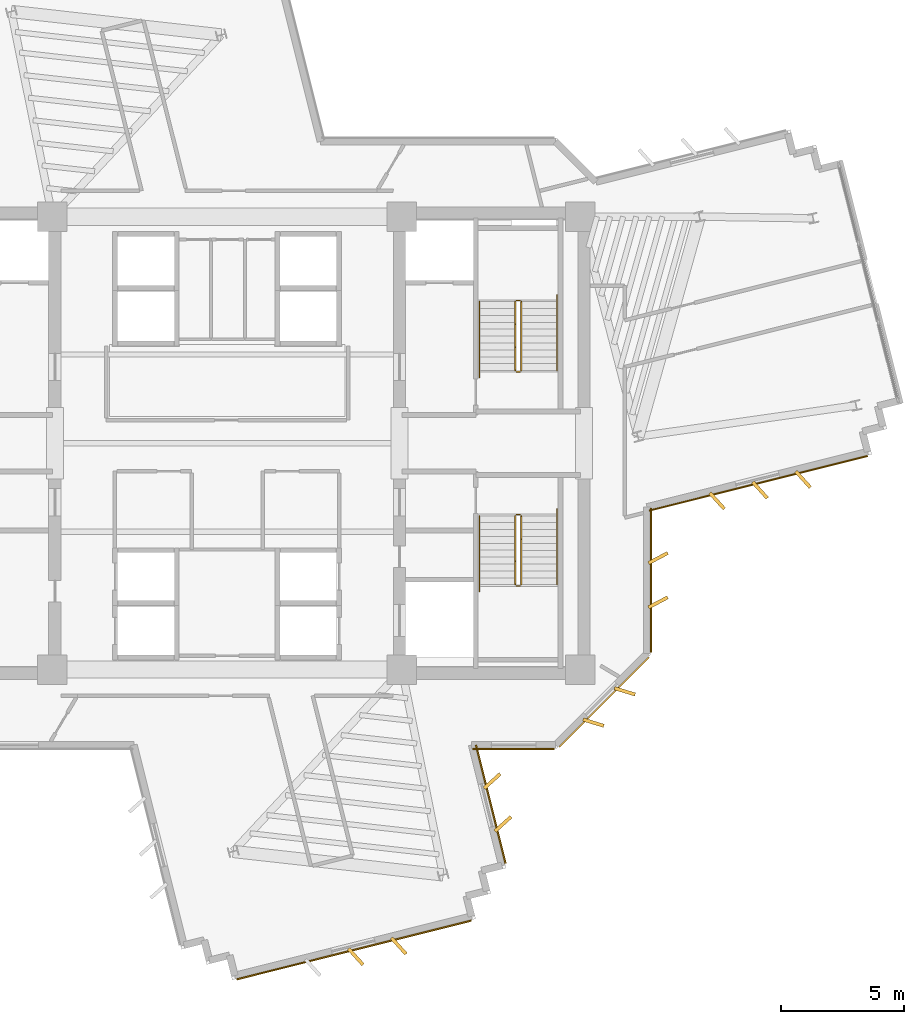
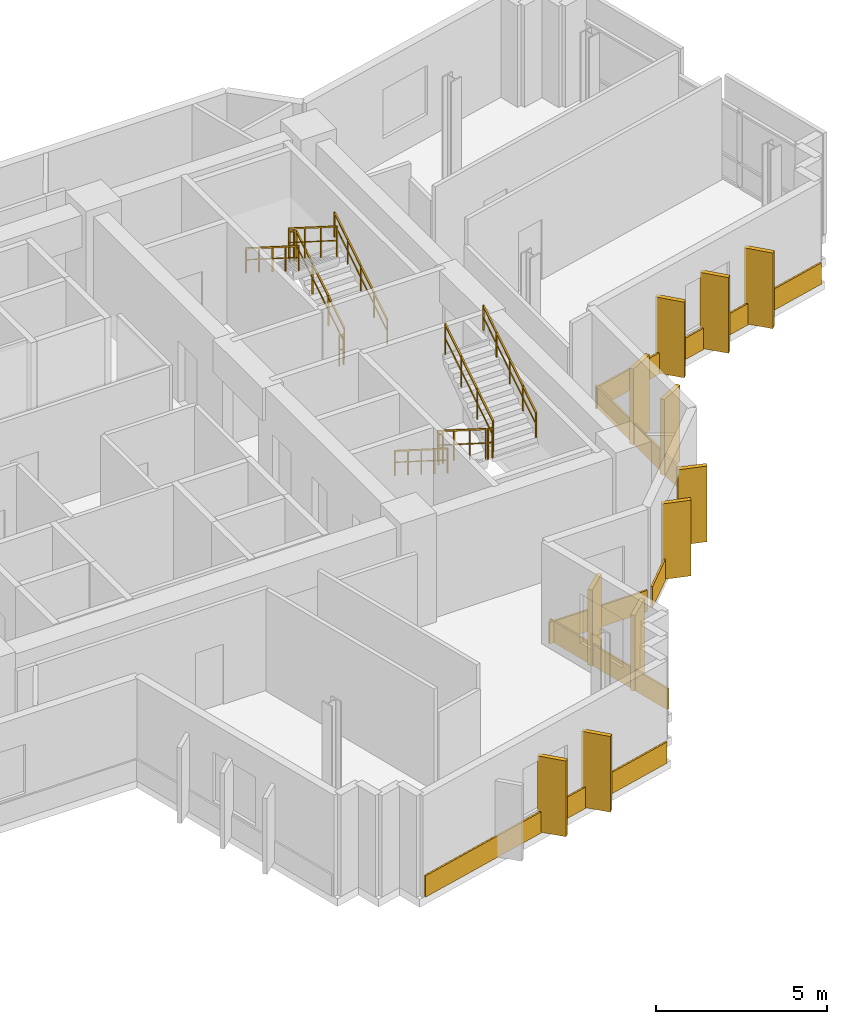
# One storey, part 12 of 13: 17 coverings, 12 railings.
"""IFC4 building model written with IfcOpenShell, lengths in metres."""

from ifc_helpers import new_model, si_unit, direction, frame, origin, origin_2d, place, context, subcontext, project, spatial, rectangle, extrude, source, transform, mapped, material, layer, layer_set, type_object, element, save


model = new_model("IFC4")

# Units and contexts
model_context = context("Model", 3, precision=1e-05, world=origin(), true_north=direction((0.0, 1.0)))
body_context = subcontext(model_context, "Body", "Model", "MODEL_VIEW")
ifc_project = project(units=[si_unit("LENGTHUNIT", "METRE"), si_unit("AREAUNIT", "SQUARE_METRE"), si_unit("VOLUMEUNIT", "CUBIC_METRE"), si_unit("PLANEANGLEUNIT", "RADIAN"), si_unit("MASSUNIT", "GRAM", prefix="KILO")], contexts=[model_context])

# Site, building, storey
site_placement = place(None, origin())
site = spatial("IfcSite", under=ifc_project, at=site_placement, CompositionType="ELEMENT")
building_placement = place(site_placement, origin())
building = spatial("IfcBuilding", under=site, at=building_placement, Name="Zahravan Cultural Tower", CompositionType="ELEMENT")
storey_placement = place(building_placement, frame((0.0, 0.0, 186.300048828125)))
storey = spatial("IfcBuildingStorey", under=building, at=storey_placement, Name="L43", CompositionType="ELEMENT", Elevation=186.300048828125)

# Railings
ifc_material_1 = material(Name="Steel ASTM A572 Grade 50", Category="steel")
railing_type_1 = type_object("IfcRailingType", Name="RL-STAIR-GRD1150", PredefinedType="BALUSTRADE", material=ifc_material_1)
railing_1_placement = place(storey_placement, frame((47.949951171875, 29.949951171875, 0.17724609375)))
element("IfcRailing", 1, at=railing_1_placement, inside=storey, type_object=railing_type_1, Name="L43 ST-E1 stair guard 1", PredefinedType="BALUSTRADE", context=body_context, shape_type="SweptSolid", body=[
    extrude(rectangle(XDim=0.05, YDim=0.05, at=origin_2d()), frame((0.0, 0.0, 1.0751953125), z_axis=(0.0, 0.844908973607, 0.534910110503), x_axis=(-1.0, 0.0, 0.0)), (0.0, 0.0, 1.0), 3.31396484375),
    extrude(rectangle(XDim=0.032, YDim=0.032, at=origin_2d()), frame((0.0, 0.0, 0.572021484375), z_axis=(0.0, 0.844908973607, 0.534910110503), x_axis=(-1.0, 0.0, 0.0)), (0.0, 0.0, 1.0), 3.31396484375),
    extrude(rectangle(XDim=0.04, YDim=0.04, at=origin_2d()), origin(), (0.0, 0.0, 1.0), 1.10009765625),
    extrude(rectangle(XDim=0.04, YDim=0.04, at=origin_2d()), frame((0.0, 0.933349609375, 0.5908203125)), (0.0, 0.0, 1.0), 1.10009765625),
    extrude(rectangle(XDim=0.04, YDim=0.04, at=origin_2d()), frame((0.0, 1.86669921875, 1.181884765625)), (0.0, 0.0, 1.0), 1.10009765625),
    extrude(rectangle(XDim=0.04, YDim=0.04, at=origin_2d()), frame((0.0, 2.800048828125, 1.772705078125)), (0.0, 0.0, 1.0), 1.10009765625),
])
railing_2_placement = place(storey_placement, frame((47.89990234375, 32.800048828125, 1.949951171875)))
element("IfcRailing", 2, at=railing_2_placement, inside=storey, type_object=railing_type_1, Name="L43 ST-E1 stair guard 2", PredefinedType="BALUSTRADE", context=body_context, shape_type="SweptSolid", body=[
    extrude(rectangle(XDim=0.05, YDim=0.05, at=origin_2d()), frame((0.0, 0.0, 1.0751953125), z_axis=(-1.0, 0.0, 0.0), x_axis=(0.0, -1.0, 0.0)), (0.0, 0.0, 1.0), 0.14990234375),
    extrude(rectangle(XDim=0.032, YDim=0.032, at=origin_2d()), frame((0.0, 0.0, 0.572021484375), z_axis=(-1.0, 0.0, 0.0), x_axis=(0.0, -1.0, 0.0)), (0.0, 0.0, 1.0), 0.14990234375),
    extrude(rectangle(XDim=0.04, YDim=0.04, at=origin_2d()), origin(), (0.0, 0.0, 1.0), 1.10009765625),
    extrude(rectangle(XDim=0.04, YDim=0.04, at=origin_2d()), frame((-0.14990234375, 0.0, 0.0)), (0.0, 0.0, 1.0), 1.10009765625),
])
railing_3_placement = place(storey_placement, frame((47.699951171875, 32.75, 2.127197265625)))
element("IfcRailing", 3, at=railing_3_placement, inside=storey, type_object=railing_type_1, Name="L43 ST-E1 stair guard 3", PredefinedType="BALUSTRADE", context=body_context, shape_type="SweptSolid", body=[
    extrude(rectangle(XDim=0.05, YDim=0.05, at=origin_2d()), frame((0.0, 0.0, 1.0751953125), z_axis=(0.0, -0.844908973607, 0.534910110503), x_axis=(1.0, 0.0, 0.0)), (0.0, 0.0, 1.0), 3.31396484375),
    extrude(rectangle(XDim=0.032, YDim=0.032, at=origin_2d()), frame((0.0, 0.0, 0.572021484375), z_axis=(0.0, -0.844908973607, 0.534910110503), x_axis=(1.0, 0.0, 0.0)), (0.0, 0.0, 1.0), 3.31396484375),
    extrude(rectangle(XDim=0.04, YDim=0.04, at=origin_2d()), origin(), (0.0, 0.0, 1.0), 1.10009765625),
    extrude(rectangle(XDim=0.04, YDim=0.04, at=origin_2d()), frame((0.0, -0.933349609375, 0.5908203125)), (0.0, 0.0, 1.0), 1.10009765625),
    extrude(rectangle(XDim=0.04, YDim=0.04, at=origin_2d()), frame((0.0, -1.86669921875, 1.181884765625)), (0.0, 0.0, 1.0), 1.10009765625),
    extrude(rectangle(XDim=0.04, YDim=0.04, at=origin_2d()), frame((0.0, -2.800048828125, 1.772705078125)), (0.0, 0.0, 1.0), 1.10009765625),
])
railing_4_placement = place(storey_placement, frame((47.89990234375, 29.89990234375, 0.0)))
element("IfcRailing", 4, at=railing_4_placement, inside=storey, type_object=railing_type_1, Name="L43 ST-E1 stair guard 4", PredefinedType="BALUSTRADE", context=body_context, shape_type="SweptSolid", body=[
    extrude(rectangle(XDim=0.05, YDim=0.05, at=origin_2d()), frame((0.0, 0.0, 1.0751953125), z_axis=(-1.0, 0.0, 0.0), x_axis=(0.0, -1.0, 0.0)), (0.0, 0.0, 1.0), 0.14990234375),
    extrude(rectangle(XDim=0.032, YDim=0.032, at=origin_2d()), frame((0.0, 0.0, 0.572021484375), z_axis=(-1.0, 0.0, 0.0), x_axis=(0.0, -1.0, 0.0)), (0.0, 0.0, 1.0), 0.14990234375),
    extrude(rectangle(XDim=0.04, YDim=0.04, at=origin_2d()), origin(), (0.0, 0.0, 1.0), 1.10009765625),
    extrude(rectangle(XDim=0.04, YDim=0.04, at=origin_2d()), frame((-0.14990234375, 0.0, 0.0)), (0.0, 0.0, 1.0), 1.10009765625),
])
railing_5_placement = place(storey_placement, frame((47.699951171875, 24.050048828125, 0.17724609375)))
element("IfcRailing", 5, at=railing_5_placement, inside=storey, type_object=railing_type_1, Name="L43 ST-E2 stair guard 1", PredefinedType="BALUSTRADE", context=body_context, shape_type="SweptSolid", body=[
    extrude(rectangle(XDim=0.05, YDim=0.05, at=origin_2d()), frame((0.0, 0.0, 1.0751953125), z_axis=(0.0, -0.844908973607, 0.534910110503), x_axis=(1.0, 0.0, 0.0)), (0.0, 0.0, 1.0), 3.31396484375),
    extrude(rectangle(XDim=0.032, YDim=0.032, at=origin_2d()), frame((0.0, 0.0, 0.572021484375), z_axis=(0.0, -0.844908973607, 0.534910110503), x_axis=(1.0, 0.0, 0.0)), (0.0, 0.0, 1.0), 3.31396484375),
    extrude(rectangle(XDim=0.04, YDim=0.04, at=origin_2d()), origin(), (0.0, 0.0, 1.0), 1.10009765625),
    extrude(rectangle(XDim=0.04, YDim=0.04, at=origin_2d()), frame((0.0, -0.933349609375, 0.5908203125)), (0.0, 0.0, 1.0), 1.10009765625),
    extrude(rectangle(XDim=0.04, YDim=0.04, at=origin_2d()), frame((0.0, -1.86669921875, 1.181884765625)), (0.0, 0.0, 1.0), 1.10009765625),
    extrude(rectangle(XDim=0.04, YDim=0.04, at=origin_2d()), frame((0.0, -2.800048828125, 1.772705078125)), (0.0, 0.0, 1.0), 1.10009765625),
])
railing_6_placement = place(storey_placement, frame((47.75, 21.199951171875, 1.949951171875)))
element("IfcRailing", 6, at=railing_6_placement, inside=storey, type_object=railing_type_1, Name="L43 ST-E2 stair guard 2", PredefinedType="BALUSTRADE", context=body_context, shape_type="SweptSolid", body=[
    extrude(rectangle(XDim=0.05, YDim=0.05, at=origin_2d()), frame((0.0, 0.0, 1.0751953125), z_axis=(1.0, 0.0, 0.0), x_axis=(0.0, 1.0, 0.0)), (0.0, 0.0, 1.0), 0.14990234375),
    extrude(rectangle(XDim=0.032, YDim=0.032, at=origin_2d()), frame((0.0, 0.0, 0.572021484375), z_axis=(1.0, 0.0, 0.0), x_axis=(0.0, 1.0, 0.0)), (0.0, 0.0, 1.0), 0.14990234375),
    extrude(rectangle(XDim=0.04, YDim=0.04, at=origin_2d()), origin(), (0.0, 0.0, 1.0), 1.10009765625),
    extrude(rectangle(XDim=0.04, YDim=0.04, at=origin_2d()), frame((0.14990234375, 0.0, 0.0)), (0.0, 0.0, 1.0), 1.10009765625),
])
railing_7_placement = place(storey_placement, frame((47.949951171875, 21.25, 2.127197265625)))
element("IfcRailing", 7, at=railing_7_placement, inside=storey, type_object=railing_type_1, Name="L43 ST-E2 stair guard 3", PredefinedType="BALUSTRADE", context=body_context, shape_type="SweptSolid", body=[
    extrude(rectangle(XDim=0.05, YDim=0.05, at=origin_2d()), frame((0.0, 0.0, 1.0751953125), z_axis=(0.0, 0.844908973607, 0.534910110503), x_axis=(-1.0, 0.0, 0.0)), (0.0, 0.0, 1.0), 3.31396484375),
    extrude(rectangle(XDim=0.032, YDim=0.032, at=origin_2d()), frame((0.0, 0.0, 0.572021484375), z_axis=(0.0, 0.844908973607, 0.534910110503), x_axis=(-1.0, 0.0, 0.0)), (0.0, 0.0, 1.0), 3.31396484375),
    extrude(rectangle(XDim=0.04, YDim=0.04, at=origin_2d()), origin(), (0.0, 0.0, 1.0), 1.10009765625),
    extrude(rectangle(XDim=0.04, YDim=0.04, at=origin_2d()), frame((0.0, 0.933349609375, 0.5908203125)), (0.0, 0.0, 1.0), 1.10009765625),
    extrude(rectangle(XDim=0.04, YDim=0.04, at=origin_2d()), frame((0.0, 1.86669921875, 1.181884765625)), (0.0, 0.0, 1.0), 1.10009765625),
    extrude(rectangle(XDim=0.04, YDim=0.04, at=origin_2d()), frame((0.0, 2.800048828125, 1.772705078125)), (0.0, 0.0, 1.0), 1.10009765625),
])
railing_8_placement = place(storey_placement, frame((47.75, 24.10009765625, 0.0)))
element("IfcRailing", 8, at=railing_8_placement, inside=storey, type_object=railing_type_1, Name="L43 ST-E2 stair guard 4", PredefinedType="BALUSTRADE", context=body_context, shape_type="SweptSolid", body=[
    extrude(rectangle(XDim=0.05, YDim=0.05, at=origin_2d()), frame((0.0, 0.0, 1.0751953125), z_axis=(1.0, 0.0, 0.0), x_axis=(0.0, 1.0, 0.0)), (0.0, 0.0, 1.0), 0.14990234375),
    extrude(rectangle(XDim=0.032, YDim=0.032, at=origin_2d()), frame((0.0, 0.0, 0.572021484375), z_axis=(1.0, 0.0, 0.0), x_axis=(0.0, 1.0, 0.0)), (0.0, 0.0, 1.0), 0.14990234375),
    extrude(rectangle(XDim=0.04, YDim=0.04, at=origin_2d()), origin(), (0.0, 0.0, 1.0), 1.10009765625),
    extrude(rectangle(XDim=0.04, YDim=0.04, at=origin_2d()), frame((0.14990234375, 0.0, 0.0)), (0.0, 0.0, 1.0), 1.10009765625),
])
railing_type_2 = type_object("IfcRailingType", Name="RL-STAIR-HR900", PredefinedType="HANDRAIL", material=ifc_material_1)
railing_9_placement = place(storey_placement, frame((49.39990234375, 29.949951171875, 0.17724609375)))
element("IfcRailing", 9, at=railing_9_placement, inside=storey, type_object=railing_type_2, Name="L43 ST-E1 stair handrail 1", PredefinedType="HANDRAIL", context=body_context, shape_type="SweptSolid", body=[
    extrude(rectangle(XDim=0.05, YDim=0.05, at=origin_2d()), frame((0.0, 0.0, 0.875), z_axis=(0.0, 0.844913916606, 0.534902302785), x_axis=(-1.0, 0.0, 0.0)), (0.0, 0.0, 1.0), 3.6455078125),
    extrude(rectangle(XDim=0.032, YDim=0.032, at=origin_2d()), frame((0.0, 0.0, 0.468017578125), z_axis=(0.0, 0.844913916606, 0.534902302785), x_axis=(-1.0, 0.0, 0.0)), (0.0, 0.0, 1.0), 3.6455078125),
    extrude(rectangle(XDim=0.04, YDim=0.04, at=origin_2d()), origin(), (0.0, 0.0, 1.0), 0.89990234375),
    extrude(rectangle(XDim=0.04, YDim=0.04, at=origin_2d()), frame((0.0, 0.77001953125, 0.487548828125)), (0.0, 0.0, 1.0), 0.89990234375),
    extrude(rectangle(XDim=0.04, YDim=0.04, at=origin_2d()), frame((0.0, 1.5400390625, 0.97509765625)), (0.0, 0.0, 1.0), 0.89990234375),
    extrude(rectangle(XDim=0.04, YDim=0.04, at=origin_2d()), frame((0.0, 2.31005859375, 1.46240234375)), (0.0, 0.0, 1.0), 0.89990234375),
    extrude(rectangle(XDim=0.04, YDim=0.04, at=origin_2d()), frame((0.0, 3.080078125, 1.949951171875)), (0.0, 0.0, 1.0), 0.89990234375),
])
for number, where, name in (
    (10, (46.25, 32.75, 2.127197265625), "L43 ST-E1 stair handrail 2"),
    (11, (46.25, 24.050048828125, 0.17724609375), "L43 ST-E2 stair handrail 1"),
):
    element("IfcRailing", number, at=place(storey_placement, frame(where)), inside=storey, type_object=railing_type_2, Name=name, PredefinedType="HANDRAIL", context=body_context, shape_type="SweptSolid", body=[
        extrude(rectangle(XDim=0.05, YDim=0.05, at=origin_2d()), frame((0.0, 0.0, 0.875), z_axis=(0.0, -0.844913916606, 0.534902302785), x_axis=(1.0, 0.0, 0.0)), (0.0, 0.0, 1.0), 3.6455078125),
        extrude(rectangle(XDim=0.032, YDim=0.032, at=origin_2d()), frame((0.0, 0.0, 0.468017578125), z_axis=(0.0, -0.844913916606, 0.534902302785), x_axis=(1.0, 0.0, 0.0)), (0.0, 0.0, 1.0), 3.6455078125),
        extrude(rectangle(XDim=0.04, YDim=0.04, at=origin_2d()), origin(), (0.0, 0.0, 1.0), 0.89990234375),
        extrude(rectangle(XDim=0.04, YDim=0.04, at=origin_2d()), frame((0.0, -0.77001953125, 0.487548828125)), (0.0, 0.0, 1.0), 0.89990234375),
        extrude(rectangle(XDim=0.04, YDim=0.04, at=origin_2d()), frame((0.0, -1.5400390625, 0.97509765625)), (0.0, 0.0, 1.0), 0.89990234375),
        extrude(rectangle(XDim=0.04, YDim=0.04, at=origin_2d()), frame((0.0, -2.31005859375, 1.46240234375)), (0.0, 0.0, 1.0), 0.89990234375),
        extrude(rectangle(XDim=0.04, YDim=0.04, at=origin_2d()), frame((0.0, -3.080078125, 1.949951171875)), (0.0, 0.0, 1.0), 0.89990234375),
    ])
railing_10_placement = place(storey_placement, frame((49.39990234375, 21.25, 2.127197265625)))
element("IfcRailing", 12, at=railing_10_placement, inside=storey, type_object=railing_type_2, Name="L43 ST-E2 stair handrail 2", PredefinedType="HANDRAIL", context=body_context, shape_type="SweptSolid", body=[
    extrude(rectangle(XDim=0.05, YDim=0.05, at=origin_2d()), frame((0.0, 0.0, 0.875), z_axis=(0.0, 0.844913916606, 0.534902302785), x_axis=(-1.0, 0.0, 0.0)), (0.0, 0.0, 1.0), 3.6455078125),
    extrude(rectangle(XDim=0.032, YDim=0.032, at=origin_2d()), frame((0.0, 0.0, 0.468017578125), z_axis=(0.0, 0.844913916606, 0.534902302785), x_axis=(-1.0, 0.0, 0.0)), (0.0, 0.0, 1.0), 3.6455078125),
    extrude(rectangle(XDim=0.04, YDim=0.04, at=origin_2d()), origin(), (0.0, 0.0, 1.0), 0.89990234375),
    extrude(rectangle(XDim=0.04, YDim=0.04, at=origin_2d()), frame((0.0, 0.77001953125, 0.487548828125)), (0.0, 0.0, 1.0), 0.89990234375),
    extrude(rectangle(XDim=0.04, YDim=0.04, at=origin_2d()), frame((0.0, 1.5400390625, 0.97509765625)), (0.0, 0.0, 1.0), 0.89990234375),
    extrude(rectangle(XDim=0.04, YDim=0.04, at=origin_2d()), frame((0.0, 2.31005859375, 1.46240234375)), (0.0, 0.0, 1.0), 0.89990234375),
    extrude(rectangle(XDim=0.04, YDim=0.04, at=origin_2d()), frame((0.0, 3.080078125, 1.949951171875)), (0.0, 0.0, 1.0), 0.89990234375),
])

# Coverings
ifc_material_2 = material(Name="Terracotta ceramic cladding", Category="masonry")
ifc_layer = layer(ifc_material_2, 0.06005859375)
ifc_layer_set = layer_set([ifc_layer], Name="Terracotta ceramic cladding")
covering_type = type_object("IfcCoveringType", Name="COV-CLAD-TC60", PredefinedType="CLADDING", material=ifc_layer_set)
shared_shape_1 = source(origin(), body_context, "Body", "SweptSolid", [
    extrude(rectangle(XDim=9.820068359375, YDim=0.06005859375, at=origin_2d()), origin(), (0.0, 0.0, 1.0), 0.760009765625),
])
covering_1_placement = place(storey_placement, frame((41.156494140625, 6.410888671875, 0.02001953125), z_axis=(0.0, 0.0, 1.0), x_axis=(-0.970041854282, -0.242937854074, 0.0)))
element("IfcCovering", 13, at=covering_1_placement, inside=storey, type_object=covering_type, Name="L43 Terracotta Spandrel Cladding 19", PredefinedType="CLADDING", context=body_context, shape_type="MappedRepresentation", body=[
    mapped(shared_shape_1, transform((0.0, 0.0, 0.0), x_axis=(1.0, 0.0, 0.0), y_axis=(0.0, 1.0, 0.0), z_axis=(0.0, 0.0, 1.0), scale=1.0)),
])
shared_shape_2 = source(origin(), body_context, "Body", "SweptSolid", [
    extrude(rectangle(XDim=5.157958984375, YDim=0.06005859375, at=origin_2d()), origin(), (0.0, 0.0, 1.0), 0.760009765625),
])
covering_2_placement = place(storey_placement, frame((51.317626953125, 16.482421875, 0.02001953125), z_axis=(0.0, 0.0, 1.0), x_axis=(-0.707106781187, -0.707106781187, 0.0)))
element("IfcCovering", 14, at=covering_2_placement, inside=storey, type_object=covering_type, Name="L43 Terracotta Spandrel Cladding 12", PredefinedType="CLADDING", context=body_context, shape_type="MappedRepresentation", body=[
    mapped(shared_shape_2, transform((0.0, 0.0, 0.0), x_axis=(1.0, 0.0, 0.0), y_axis=(0.0, 1.0, 0.0), z_axis=(0.0, 0.0, 1.0), scale=1.0)),
])
shared_shape_3 = source(origin(), body_context, "Body", "SweptSolid", [
    extrude(rectangle(XDim=0.8798828125, YDim=0.139892578125, at=origin_2d()), origin(), (0.0, 0.0, 1.0), 2.699951171875),
])
for number, where, z_axis, x_axis, name in (
    (15, (59.3974609375, 25.530029296875, 0.0498046875), (0.0, 0.0, 1.0), (0.669895500577, -0.742455398194, 0.0), "L43 Herringbone Terracotta Fin 04"),
    (16, (57.6513671875, 25.0927734375, 0.0498046875), (0.0, 0.0, 1.0), (0.669895500577, -0.742455398194, 0.0), "L43 Herringbone Terracotta Fin 05"),
    (17, (55.9052734375, 24.655517578125, 0.0498046875), (0.0, 0.0, 1.0), (0.669895500577, -0.742455398194, 0.0), "L43 Herringbone Terracotta Fin 06"),
    (18, (53.510009765625, 22.33251953125, 0.0498046875), (0.0, 0.0, 1.0), (0.882947592859, 0.469471562786, 0.0), "L43 Herringbone Terracotta Fin 07"),
    (19, (53.510009765625, 20.532470703125, 0.0498046875), (0.0, 0.0, 1.0), (0.882947592859, 0.469471562786, 0.0), "L43 Herringbone Terracotta Fin 08"),
    (20, (52.155517578125, 16.917236328125, 0.0498046875), (0.0, 0.0, 1.0), (0.956304755963, -0.292371704723, 0.0), "L43 Herringbone Terracotta Fin 09"),
    (21, (50.8828125, 15.644287109375, 0.0498046875), (0.0, 0.0, 1.0), (0.956304755963, -0.292371704723, 0.0), "L43 Herringbone Terracotta Fin 10"),
    (22, (46.767822265625, 13.271484375, 0.0498046875), (0.0, 0.0, 1.0), (0.742443706198, 0.669908458766, 0.0), "L43 Herringbone Terracotta Fin 11"),
    (23, (47.205078125, 11.525390625, 0.0498046875), (0.0, 0.0, 1.0), (0.742443706198, 0.669908458766, 0.0), "L43 Herringbone Terracotta Fin 12"),
    (24, (42.9716796875, 6.57177734375, 0.0498046875), (0.0, 0.0, 1.0), (0.669908458766, -0.742443706198, 0.0), "L43 Herringbone Terracotta Fin 13"),
    (25, (41.2255859375, 6.134521484375, 0.0498046875), (0.0, 0.0, 1.0), (0.669908458766, -0.742443706198, 0.0), "L43 Herringbone Terracotta Fin 14"),
):
    element("IfcCovering", number, at=place(storey_placement, frame(where, z_axis=z_axis, x_axis=x_axis)), inside=storey, type_object=covering_type, Name=name, PredefinedType="CLADDING", context=body_context, shape_type="MappedRepresentation", body=[
        mapped(shared_shape_3, transform((0.0, 0.0, 0.0), x_axis=(1.0, 0.0, 0.0), y_axis=(0.0, 1.0, 0.0), z_axis=(0.0, 0.0, 1.0), scale=1.0)),
    ])
shared_shape_4 = source(origin(), body_context, "Body", "SweptSolid", [
    extrude(rectangle(XDim=9.14111328125, YDim=0.06005859375, at=origin_2d()), origin(), (0.0, 0.0, 1.0), 0.760009765625),
])
covering_3_placement = place(storey_placement, frame((57.582275390625, 25.369384765625, 0.02001953125), z_axis=(0.0, 0.0, 1.0), x_axis=(-0.970046094199, -0.242920923613, 0.0)))
element("IfcCovering", 26, at=covering_3_placement, inside=storey, type_object=covering_type, Name="L43 Terracotta Spandrel Cladding 10", PredefinedType="CLADDING", context=body_context, shape_type="MappedRepresentation", body=[
    mapped(shared_shape_4, transform((0.0, 0.0, 0.0), x_axis=(1.0, 0.0, 0.0), y_axis=(0.0, 1.0, 0.0), z_axis=(0.0, 0.0, 1.0), scale=1.0)),
])
shared_shape_5 = source(origin(), body_context, "Body", "SweptSolid", [
    extrude(rectangle(XDim=5.848876953125, YDim=0.06005859375, at=origin_2d()), origin(), (0.0, 0.0, 1.0), 0.760009765625),
])
covering_4_placement = place(storey_placement, frame((53.22509765625, 21.432373046875, 0.02001953125), z_axis=(0.0, 0.0, 1.0), x_axis=(0.0, -1.0, 0.0)))
element("IfcCovering", 27, at=covering_4_placement, inside=storey, type_object=covering_type, Name="L43 Terracotta Spandrel Cladding 11", PredefinedType="CLADDING", context=body_context, shape_type="MappedRepresentation", body=[
    mapped(shared_shape_5, transform((0.0, 0.0, 0.0), x_axis=(1.0, 0.0, 0.0), y_axis=(0.0, 1.0, 0.0), z_axis=(0.0, 0.0, 1.0), scale=1.0)),
])
shared_shape_6 = source(origin(), body_context, "Body", "SweptSolid", [
    extrude(rectangle(XDim=3.305908203125, YDim=0.06005859375, at=origin_2d()), origin(), (0.0, 0.0, 1.0), 0.760009765625),
])
covering_5_placement = place(storey_placement, frame((47.638916015625, 14.574951171875, 0.02001953125), z_axis=(0.0, 0.0, 1.0), x_axis=(-1.0, 0.0, 0.0)))
element("IfcCovering", 28, at=covering_5_placement, inside=storey, type_object=covering_type, Name="L43 Terracotta Spandrel Cladding 13", PredefinedType="CLADDING", context=body_context, shape_type="MappedRepresentation", body=[
    mapped(shared_shape_6, transform((0.0, 0.0, 0.0), x_axis=(1.0, 0.0, 0.0), y_axis=(0.0, 1.0, 0.0), z_axis=(0.0, 0.0, 1.0), scale=1.0)),
])
shared_shape_7 = source(origin(), body_context, "Body", "SweptSolid", [
    extrude(rectangle(XDim=4.953369140625, YDim=0.06005859375, at=origin_2d()), origin(), (0.0, 0.0, 1.0), 0.760009765625),
])
covering_6_placement = place(storey_placement, frame((46.7099609375, 12.3291015625, 0.02001953125), z_axis=(0.0, 0.0, 1.0), x_axis=(0.242937854074, -0.970041854282, 0.0)))
element("IfcCovering", 29, at=covering_6_placement, inside=storey, type_object=covering_type, Name="L43 Terracotta Spandrel Cladding 14", PredefinedType="CLADDING", context=body_context, shape_type="MappedRepresentation", body=[
    mapped(shared_shape_7, transform((0.0, 0.0, 0.0), x_axis=(1.0, 0.0, 0.0), y_axis=(0.0, 1.0, 0.0), z_axis=(0.0, 0.0, 1.0), scale=1.0)),
])

save(model, "model.ifc")
